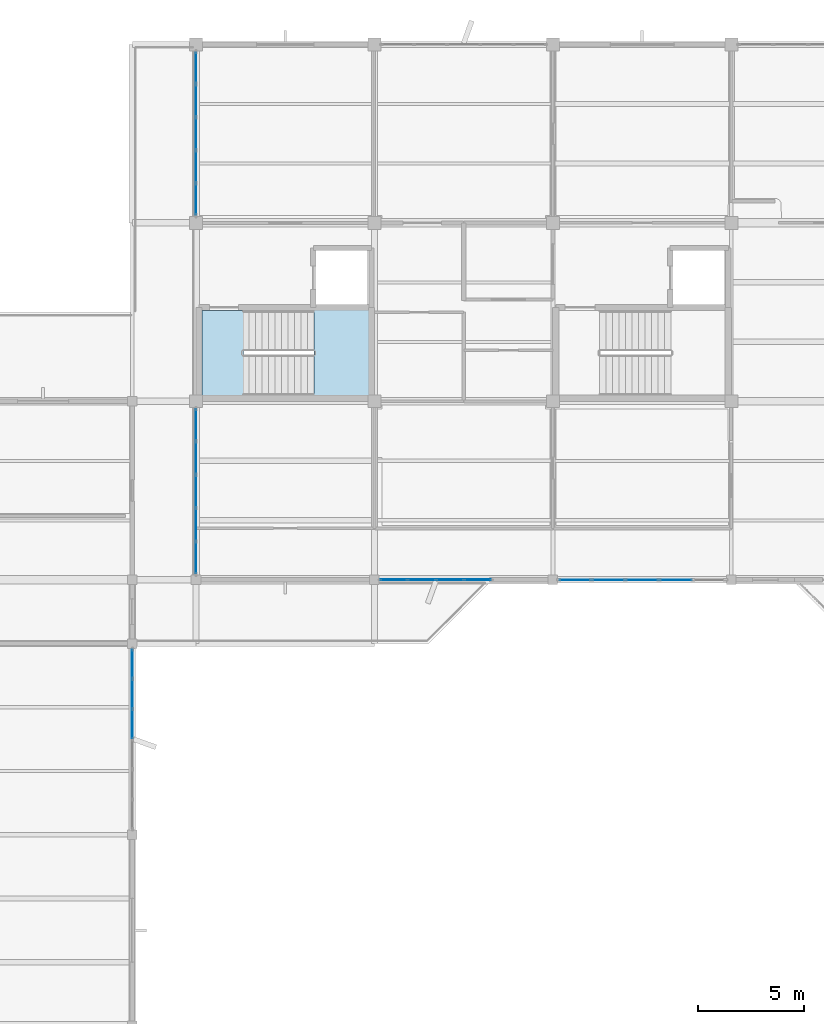
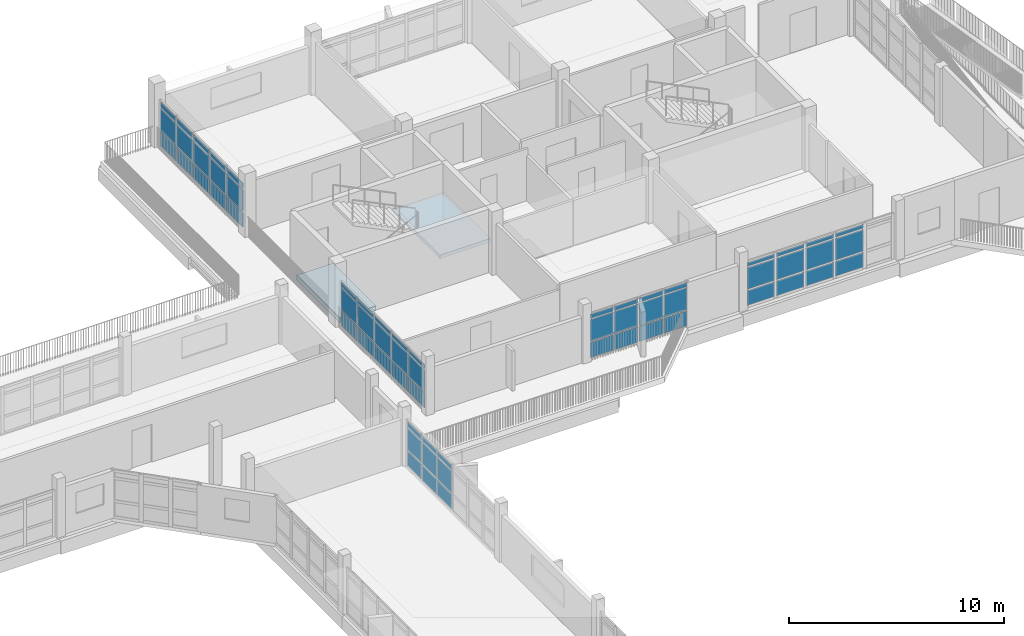
# One storey, part 18 of 33: 63 plates, 2 slabs, 6 elements without a shape of their own.
"""IFC4 building model written with IfcOpenShell, lengths in metres."""

from ifc_helpers import new_model, si_unit, direction, frame, origin, origin_2d, place, context, subcontext, project, spatial, polyline, rectangle, outline, extrude, material, layer, layer_set, type_object, element, aggregate, save


model = new_model("IFC4")

# Units and contexts
model_context = context("Model", 3, precision=1e-05, world=origin(), true_north=direction((0.0, 1.0)))
body_context = subcontext(model_context, "Body", "Model", "MODEL_VIEW")
ifc_project = project(units=[si_unit("LENGTHUNIT", "METRE"), si_unit("AREAUNIT", "SQUARE_METRE"), si_unit("VOLUMEUNIT", "CUBIC_METRE"), si_unit("PLANEANGLEUNIT", "RADIAN"), si_unit("MASSUNIT", "GRAM", prefix="KILO")], contexts=[model_context])

# Site, building, storey
site_placement = place(None, origin())
site = spatial("IfcSite", under=ifc_project, at=site_placement, CompositionType="ELEMENT")
building_placement = place(site_placement, origin())
building = spatial("IfcBuilding", under=site, at=building_placement, Name="Vanh Quang Courtyard School", CompositionType="ELEMENT")
storey_placement = place(building_placement, frame((0.0, 0.0, 18.60009765625)))
storey = spatial("IfcBuildingStorey", under=building, at=storey_placement, Name="L05", CompositionType="ELEMENT", Elevation=18.60009765625)

# Curtain wall, plates
ifc_material_1 = material(Name="Thermally broken aluminium unitised curtain wall", Category="aluminium")
curtain_wall_type_1 = type_object("IfcCurtainWallType", Name="CW-SYS-50", PredefinedType="NOTDEFINED", material=ifc_material_1)
curtain_wall_1_placement = place(storey_placement, origin())
curtain_wall_1 = element("IfcCurtainWall", 1, at=curtain_wall_1_placement, inside=storey, type_object=curtain_wall_type_1, Name="Curtain Wall CW-50 (L05)", PredefinedType="NOTDEFINED")
ifc_material_2 = material(Name="Low-E laminated double glazing", Category="glass")
ifc_layer_1 = layer(ifc_material_2, 0.028076171875)
ifc_layer_set_1 = layer_set([ifc_layer_1], Name="Low-E laminated double glazing")
plate_type_1 = type_object("IfcPlateType", Name="CW-PNL-28", PredefinedType="CURTAIN_PANEL", material=ifc_layer_set_1)
plate_1_placement = place(storey_placement, frame((74.39990234375, 67.438232421875, 0.06982421875), z_axis=(0.0, 0.0, 1.0), x_axis=(0.0, -1.0, 0.0)))
plate_1 = element("IfcPlate", 2, at=plate_1_placement, type_object=plate_type_1, Name="CW-50 panel 1.1", PredefinedType="CURTAIN_PANEL", context=body_context, shape_type="SweptSolid", body=[
    extrude(rectangle(XDim=1.3173828125, YDim=0.028076171875, at=origin_2d()), origin(), (0.0, 0.0, 1.0), 0.844970703125),
])
plate_2_placement = place(storey_placement, frame((74.39990234375, 67.438232421875, 0.98486328125), z_axis=(0.0, 0.0, 1.0), x_axis=(0.0, -1.0, 0.0)))
plate_2 = element("IfcPlate", 3, at=plate_2_placement, type_object=plate_type_1, Name="CW-50 panel 1.2", PredefinedType="CURTAIN_PANEL", context=body_context, shape_type="SweptSolid", body=[
    extrude(rectangle(XDim=1.3173828125, YDim=0.028076171875, at=origin_2d()), origin(), (0.0, 0.0, 1.0), 1.22998046875),
])
plate_3_placement = place(storey_placement, frame((74.39990234375, 67.438232421875, 2.284912109375), z_axis=(0.0, 0.0, 1.0), x_axis=(0.0, -1.0, 0.0)))
plate_3 = element("IfcPlate", 4, at=plate_3_placement, type_object=plate_type_1, Name="CW-50 panel 1.3", PredefinedType="CURTAIN_PANEL", context=body_context, shape_type="SweptSolid", body=[
    extrude(rectangle(XDim=1.3173828125, YDim=0.028076171875, at=origin_2d()), origin(), (0.0, 0.0, 1.0), 0.294921875),
])
plate_4_placement = place(storey_placement, frame((74.39990234375, 66.033447265625, 0.06982421875), z_axis=(0.0, 0.0, 1.0), x_axis=(0.0, -1.0, 0.0)))
plate_4 = element("IfcPlate", 5, at=plate_4_placement, type_object=plate_type_1, Name="CW-50 panel 2.1", PredefinedType="CURTAIN_PANEL", context=body_context, shape_type="SweptSolid", body=[
    extrude(rectangle(XDim=1.352294921875, YDim=0.028076171875, at=origin_2d()), origin(), (0.0, 0.0, 1.0), 0.844970703125),
])
plate_5_placement = place(storey_placement, frame((74.39990234375, 66.033447265625, 0.98486328125), z_axis=(0.0, 0.0, 1.0), x_axis=(0.0, -1.0, 0.0)))
plate_5 = element("IfcPlate", 6, at=plate_5_placement, type_object=plate_type_1, Name="CW-50 panel 2.2", PredefinedType="CURTAIN_PANEL", context=body_context, shape_type="SweptSolid", body=[
    extrude(rectangle(XDim=1.352294921875, YDim=0.028076171875, at=origin_2d()), origin(), (0.0, 0.0, 1.0), 1.22998046875),
])
plate_6_placement = place(storey_placement, frame((74.39990234375, 66.033447265625, 2.284912109375), z_axis=(0.0, 0.0, 1.0), x_axis=(0.0, -1.0, 0.0)))
plate_6 = element("IfcPlate", 7, at=plate_6_placement, type_object=plate_type_1, Name="CW-50 panel 2.3", PredefinedType="CURTAIN_PANEL", context=body_context, shape_type="SweptSolid", body=[
    extrude(rectangle(XDim=1.352294921875, YDim=0.028076171875, at=origin_2d()), origin(), (0.0, 0.0, 1.0), 0.294921875),
])
plate_7_placement = place(storey_placement, frame((74.39990234375, 64.611083984375, 0.06982421875), z_axis=(0.0, 0.0, 1.0), x_axis=(0.0, -1.0, 0.0)))
plate_7 = element("IfcPlate", 8, at=plate_7_placement, type_object=plate_type_1, Name="CW-50 panel 3.1", PredefinedType="CURTAIN_PANEL", context=body_context, shape_type="SweptSolid", body=[
    extrude(rectangle(XDim=1.352294921875, YDim=0.028076171875, at=origin_2d()), origin(), (0.0, 0.0, 1.0), 0.844970703125),
])
plate_8_placement = place(storey_placement, frame((74.39990234375, 64.611083984375, 0.98486328125), z_axis=(0.0, 0.0, 1.0), x_axis=(0.0, -1.0, 0.0)))
plate_8 = element("IfcPlate", 9, at=plate_8_placement, type_object=plate_type_1, Name="CW-50 panel 3.2", PredefinedType="CURTAIN_PANEL", context=body_context, shape_type="SweptSolid", body=[
    extrude(rectangle(XDim=1.352294921875, YDim=0.028076171875, at=origin_2d()), origin(), (0.0, 0.0, 1.0), 1.22998046875),
])
plate_9_placement = place(storey_placement, frame((74.39990234375, 64.611083984375, 2.284912109375), z_axis=(0.0, 0.0, 1.0), x_axis=(0.0, -1.0, 0.0)))
plate_9 = element("IfcPlate", 10, at=plate_9_placement, type_object=plate_type_1, Name="CW-50 panel 3.3", PredefinedType="CURTAIN_PANEL", context=body_context, shape_type="SweptSolid", body=[
    extrude(rectangle(XDim=1.352294921875, YDim=0.028076171875, at=origin_2d()), origin(), (0.0, 0.0, 1.0), 0.294921875),
])
aggregate(curtain_wall_1, [plate_1, plate_2, plate_3, plate_4, plate_5, plate_6, plate_7, plate_8, plate_9])

curtain_wall_type_2 = type_object("IfcCurtainWallType", Name="CW-SYS-19", PredefinedType="NOTDEFINED", material=ifc_material_1)
curtain_wall_2_placement = place(storey_placement, origin())
curtain_wall_2 = element("IfcCurtainWall", 11, at=curtain_wall_2_placement, inside=storey, type_object=curtain_wall_type_2, Name="Curtain Wall CW-19 (L05)", PredefinedType="NOTDEFINED")
plate_10_placement = place(storey_placement, frame((99.98681640625, 71.39990234375, 0.079833984375), z_axis=(0.0, 0.0, 1.0), x_axis=(-1.0, 0.0, 0.0)))
plate_10 = element("IfcPlate", 12, at=plate_10_placement, type_object=plate_type_1, Name="CW-19 panel 2.1", PredefinedType="CURTAIN_PANEL", context=body_context, shape_type="SweptSolid", body=[
    extrude(rectangle(XDim=1.5068359375, YDim=0.028076171875, at=origin_2d()), origin(), (0.0, 0.0, 1.0), 0.830078125),
])
plate_11_placement = place(storey_placement, frame((99.98681640625, 71.39990234375, 0.98974609375), z_axis=(0.0, 0.0, 1.0), x_axis=(-1.0, 0.0, 0.0)))
plate_11 = element("IfcPlate", 13, at=plate_11_placement, type_object=plate_type_1, Name="CW-19 panel 2.2", PredefinedType="CURTAIN_PANEL", context=body_context, shape_type="SweptSolid", body=[
    extrude(rectangle(XDim=1.5068359375, YDim=0.028076171875, at=origin_2d()), origin(), (0.0, 0.0, 1.0), 1.219970703125),
])
plate_12_placement = place(storey_placement, frame((99.98681640625, 71.39990234375, 2.2900390625), z_axis=(0.0, 0.0, 1.0), x_axis=(-1.0, 0.0, 0.0)))
plate_12 = element("IfcPlate", 14, at=plate_12_placement, type_object=plate_type_1, Name="CW-19 panel 2.3", PredefinedType="CURTAIN_PANEL", context=body_context, shape_type="SweptSolid", body=[
    extrude(rectangle(XDim=1.5068359375, YDim=0.028076171875, at=origin_2d()), origin(), (0.0, 0.0, 1.0), 0.2099609375),
])
plate_13_placement = place(storey_placement, frame((98.39990234375, 71.39990234375, 0.079833984375), z_axis=(0.0, 0.0, 1.0), x_axis=(-1.0, 0.0, 0.0)))
plate_13 = element("IfcPlate", 15, at=plate_13_placement, type_object=plate_type_1, Name="CW-19 panel 3.1", PredefinedType="CURTAIN_PANEL", context=body_context, shape_type="SweptSolid", body=[
    extrude(rectangle(XDim=1.5068359375, YDim=0.028076171875, at=origin_2d()), origin(), (0.0, 0.0, 1.0), 0.830078125),
])
plate_14_placement = place(storey_placement, frame((98.39990234375, 71.39990234375, 0.98974609375), z_axis=(0.0, 0.0, 1.0), x_axis=(-1.0, 0.0, 0.0)))
plate_14 = element("IfcPlate", 16, at=plate_14_placement, type_object=plate_type_1, Name="CW-19 panel 3.2", PredefinedType="CURTAIN_PANEL", context=body_context, shape_type="SweptSolid", body=[
    extrude(rectangle(XDim=1.5068359375, YDim=0.028076171875, at=origin_2d()), origin(), (0.0, 0.0, 1.0), 1.219970703125),
])
plate_15_placement = place(storey_placement, frame((98.39990234375, 71.39990234375, 2.2900390625), z_axis=(0.0, 0.0, 1.0), x_axis=(-1.0, 0.0, 0.0)))
plate_15 = element("IfcPlate", 17, at=plate_15_placement, type_object=plate_type_1, Name="CW-19 panel 3.3", PredefinedType="CURTAIN_PANEL", context=body_context, shape_type="SweptSolid", body=[
    extrude(rectangle(XDim=1.5068359375, YDim=0.028076171875, at=origin_2d()), origin(), (0.0, 0.0, 1.0), 0.2099609375),
])
plate_16_placement = place(storey_placement, frame((96.813232421875, 71.39990234375, 0.079833984375), z_axis=(0.0, 0.0, 1.0), x_axis=(-1.0, 0.0, 0.0)))
plate_16 = element("IfcPlate", 18, at=plate_16_placement, type_object=plate_type_1, Name="CW-19 panel 4.1", PredefinedType="CURTAIN_PANEL", context=body_context, shape_type="SweptSolid", body=[
    extrude(rectangle(XDim=1.5068359375, YDim=0.028076171875, at=origin_2d()), origin(), (0.0, 0.0, 1.0), 0.830078125),
])
plate_17_placement = place(storey_placement, frame((96.813232421875, 71.39990234375, 0.98974609375), z_axis=(0.0, 0.0, 1.0), x_axis=(-1.0, 0.0, 0.0)))
plate_17 = element("IfcPlate", 19, at=plate_17_placement, type_object=plate_type_1, Name="CW-19 panel 4.2", PredefinedType="CURTAIN_PANEL", context=body_context, shape_type="SweptSolid", body=[
    extrude(rectangle(XDim=1.5068359375, YDim=0.028076171875, at=origin_2d()), origin(), (0.0, 0.0, 1.0), 1.219970703125),
])
plate_18_placement = place(storey_placement, frame((96.813232421875, 71.39990234375, 2.2900390625), z_axis=(0.0, 0.0, 1.0), x_axis=(-1.0, 0.0, 0.0)))
plate_18 = element("IfcPlate", 20, at=plate_18_placement, type_object=plate_type_1, Name="CW-19 panel 4.3", PredefinedType="CURTAIN_PANEL", context=body_context, shape_type="SweptSolid", body=[
    extrude(rectangle(XDim=1.5068359375, YDim=0.028076171875, at=origin_2d()), origin(), (0.0, 0.0, 1.0), 0.2099609375),
])
plate_19_placement = place(storey_placement, frame((95.246337890625, 71.39990234375, 0.079833984375), z_axis=(0.0, 0.0, 1.0), x_axis=(-1.0, 0.0, 0.0)))
plate_19 = element("IfcPlate", 21, at=plate_19_placement, type_object=plate_type_1, Name="CW-19 panel 5.1", PredefinedType="CURTAIN_PANEL", context=body_context, shape_type="SweptSolid", body=[
    extrude(rectangle(XDim=1.466796875, YDim=0.028076171875, at=origin_2d()), origin(), (0.0, 0.0, 1.0), 0.830078125),
])
plate_20_placement = place(storey_placement, frame((95.246337890625, 71.39990234375, 0.98974609375), z_axis=(0.0, 0.0, 1.0), x_axis=(-1.0, 0.0, 0.0)))
plate_20 = element("IfcPlate", 22, at=plate_20_placement, type_object=plate_type_1, Name="CW-19 panel 5.2", PredefinedType="CURTAIN_PANEL", context=body_context, shape_type="SweptSolid", body=[
    extrude(rectangle(XDim=1.466796875, YDim=0.028076171875, at=origin_2d()), origin(), (0.0, 0.0, 1.0), 1.219970703125),
])
plate_21_placement = place(storey_placement, frame((95.246337890625, 71.39990234375, 2.2900390625), z_axis=(0.0, 0.0, 1.0), x_axis=(-1.0, 0.0, 0.0)))
plate_21 = element("IfcPlate", 23, at=plate_21_placement, type_object=plate_type_1, Name="CW-19 panel 5.3", PredefinedType="CURTAIN_PANEL", context=body_context, shape_type="SweptSolid", body=[
    extrude(rectangle(XDim=1.466796875, YDim=0.028076171875, at=origin_2d()), origin(), (0.0, 0.0, 1.0), 0.2099609375),
])
aggregate(curtain_wall_2, [plate_10, plate_11, plate_12, plate_13, plate_14, plate_15, plate_16, plate_17, plate_18, plate_19, plate_20, plate_21])

curtain_wall_3_placement = place(storey_placement, origin())
curtain_wall_3 = element("IfcCurtainWall", 24, at=curtain_wall_3_placement, inside=storey, type_object=curtain_wall_type_2, Name="Curtain Wall CW-19 (L05)", PredefinedType="NOTDEFINED")
plate_22_placement = place(storey_placement, frame((77.39990234375, 72.436279296875, 0.06982421875), z_axis=(0.0, 0.0, 1.0), x_axis=(0.0, 1.0, 0.0)))
plate_22 = element("IfcPlate", 25, at=plate_22_placement, type_object=plate_type_1, Name="CW-19 panel 1.1", PredefinedType="CURTAIN_PANEL", context=body_context, shape_type="SweptSolid", body=[
    extrude(rectangle(XDim=1.466796875, YDim=0.028076171875, at=origin_2d()), origin(), (0.0, 0.0, 1.0), 0.844970703125),
])
plate_23_placement = place(storey_placement, frame((77.39990234375, 72.436279296875, 0.98486328125), z_axis=(0.0, 0.0, 1.0), x_axis=(0.0, 1.0, 0.0)))
plate_23 = element("IfcPlate", 26, at=plate_23_placement, type_object=plate_type_1, Name="CW-19 panel 1.2", PredefinedType="CURTAIN_PANEL", context=body_context, shape_type="SweptSolid", body=[
    extrude(rectangle(XDim=1.466796875, YDim=0.028076171875, at=origin_2d()), origin(), (0.0, 0.0, 1.0), 1.22998046875),
])
plate_24_placement = place(storey_placement, frame((77.39990234375, 72.436279296875, 2.284912109375), z_axis=(0.0, 0.0, 1.0), x_axis=(0.0, 1.0, 0.0)))
plate_24 = element("IfcPlate", 27, at=plate_24_placement, type_object=plate_type_1, Name="CW-19 panel 1.3", PredefinedType="CURTAIN_PANEL", context=body_context, shape_type="SweptSolid", body=[
    extrude(rectangle(XDim=1.466796875, YDim=0.028076171875, at=origin_2d()), origin(), (0.0, 0.0, 1.0), 0.22509765625),
])
plate_25_placement = place(storey_placement, frame((77.39990234375, 73.99072265625, 0.06982421875), z_axis=(0.0, 0.0, 1.0), x_axis=(0.0, 1.0, 0.0)))
plate_25 = element("IfcPlate", 28, at=plate_25_placement, type_object=plate_type_1, Name="CW-19 panel 2.1", PredefinedType="CURTAIN_PANEL", context=body_context, shape_type="SweptSolid", body=[
    extrude(rectangle(XDim=1.501708984375, YDim=0.028076171875, at=origin_2d()), origin(), (0.0, 0.0, 1.0), 0.844970703125),
])
plate_26_placement = place(storey_placement, frame((77.39990234375, 73.99072265625, 0.98486328125), z_axis=(0.0, 0.0, 1.0), x_axis=(0.0, 1.0, 0.0)))
plate_26 = element("IfcPlate", 29, at=plate_26_placement, type_object=plate_type_1, Name="CW-19 panel 2.2", PredefinedType="CURTAIN_PANEL", context=body_context, shape_type="SweptSolid", body=[
    extrude(rectangle(XDim=1.501708984375, YDim=0.028076171875, at=origin_2d()), origin(), (0.0, 0.0, 1.0), 1.22998046875),
])
plate_27_placement = place(storey_placement, frame((77.39990234375, 73.99072265625, 2.284912109375), z_axis=(0.0, 0.0, 1.0), x_axis=(0.0, 1.0, 0.0)))
plate_27 = element("IfcPlate", 30, at=plate_27_placement, type_object=plate_type_1, Name="CW-19 panel 2.3", PredefinedType="CURTAIN_PANEL", context=body_context, shape_type="SweptSolid", body=[
    extrude(rectangle(XDim=1.501708984375, YDim=0.028076171875, at=origin_2d()), origin(), (0.0, 0.0, 1.0), 0.22509765625),
])
plate_28_placement = place(storey_placement, frame((77.39990234375, 75.5625, 0.06982421875), z_axis=(0.0, 0.0, 1.0), x_axis=(0.0, 1.0, 0.0)))
plate_28 = element("IfcPlate", 31, at=plate_28_placement, type_object=plate_type_1, Name="CW-19 panel 3.1", PredefinedType="CURTAIN_PANEL", context=body_context, shape_type="SweptSolid", body=[
    extrude(rectangle(XDim=1.501708984375, YDim=0.028076171875, at=origin_2d()), origin(), (0.0, 0.0, 1.0), 0.844970703125),
])
plate_29_placement = place(storey_placement, frame((77.39990234375, 75.5625, 0.98486328125), z_axis=(0.0, 0.0, 1.0), x_axis=(0.0, 1.0, 0.0)))
plate_29 = element("IfcPlate", 32, at=plate_29_placement, type_object=plate_type_1, Name="CW-19 panel 3.2", PredefinedType="CURTAIN_PANEL", context=body_context, shape_type="SweptSolid", body=[
    extrude(rectangle(XDim=1.501708984375, YDim=0.028076171875, at=origin_2d()), origin(), (0.0, 0.0, 1.0), 1.22998046875),
])
plate_30_placement = place(storey_placement, frame((77.39990234375, 75.5625, 2.284912109375), z_axis=(0.0, 0.0, 1.0), x_axis=(0.0, 1.0, 0.0)))
plate_30 = element("IfcPlate", 33, at=plate_30_placement, type_object=plate_type_1, Name="CW-19 panel 3.3", PredefinedType="CURTAIN_PANEL", context=body_context, shape_type="SweptSolid", body=[
    extrude(rectangle(XDim=1.501708984375, YDim=0.028076171875, at=origin_2d()), origin(), (0.0, 0.0, 1.0), 0.22509765625),
])
plate_31_placement = place(storey_placement, frame((77.39990234375, 77.13427734375, 0.06982421875), z_axis=(0.0, 0.0, 1.0), x_axis=(0.0, 1.0, 0.0)))
plate_31 = element("IfcPlate", 34, at=plate_31_placement, type_object=plate_type_1, Name="CW-19 panel 4.1", PredefinedType="CURTAIN_PANEL", context=body_context, shape_type="SweptSolid", body=[
    extrude(rectangle(XDim=1.501708984375, YDim=0.028076171875, at=origin_2d()), origin(), (0.0, 0.0, 1.0), 0.844970703125),
])
plate_32_placement = place(storey_placement, frame((77.39990234375, 77.13427734375, 0.98486328125), z_axis=(0.0, 0.0, 1.0), x_axis=(0.0, 1.0, 0.0)))
plate_32 = element("IfcPlate", 35, at=plate_32_placement, type_object=plate_type_1, Name="CW-19 panel 4.2", PredefinedType="CURTAIN_PANEL", context=body_context, shape_type="SweptSolid", body=[
    extrude(rectangle(XDim=1.501708984375, YDim=0.028076171875, at=origin_2d()), origin(), (0.0, 0.0, 1.0), 1.22998046875),
])
plate_33_placement = place(storey_placement, frame((77.39990234375, 77.13427734375, 2.284912109375), z_axis=(0.0, 0.0, 1.0), x_axis=(0.0, 1.0, 0.0)))
plate_33 = element("IfcPlate", 36, at=plate_33_placement, type_object=plate_type_1, Name="CW-19 panel 4.3", PredefinedType="CURTAIN_PANEL", context=body_context, shape_type="SweptSolid", body=[
    extrude(rectangle(XDim=1.501708984375, YDim=0.028076171875, at=origin_2d()), origin(), (0.0, 0.0, 1.0), 0.22509765625),
])
plate_34_placement = place(storey_placement, frame((77.39990234375, 78.688720703125, 0.06982421875), z_axis=(0.0, 0.0, 1.0), x_axis=(0.0, 1.0, 0.0)))
plate_34 = element("IfcPlate", 37, at=plate_34_placement, type_object=plate_type_1, Name="CW-19 panel 5.1", PredefinedType="CURTAIN_PANEL", context=body_context, shape_type="SweptSolid", body=[
    extrude(rectangle(XDim=1.466796875, YDim=0.028076171875, at=origin_2d()), origin(), (0.0, 0.0, 1.0), 0.844970703125),
])
plate_35_placement = place(storey_placement, frame((77.39990234375, 78.688720703125, 0.98486328125), z_axis=(0.0, 0.0, 1.0), x_axis=(0.0, 1.0, 0.0)))
plate_35 = element("IfcPlate", 38, at=plate_35_placement, type_object=plate_type_1, Name="CW-19 panel 5.2", PredefinedType="CURTAIN_PANEL", context=body_context, shape_type="SweptSolid", body=[
    extrude(rectangle(XDim=1.466796875, YDim=0.028076171875, at=origin_2d()), origin(), (0.0, 0.0, 1.0), 1.22998046875),
])
plate_36_placement = place(storey_placement, frame((77.39990234375, 78.688720703125, 2.284912109375), z_axis=(0.0, 0.0, 1.0), x_axis=(0.0, 1.0, 0.0)))
plate_36 = element("IfcPlate", 39, at=plate_36_placement, type_object=plate_type_1, Name="CW-19 panel 5.3", PredefinedType="CURTAIN_PANEL", context=body_context, shape_type="SweptSolid", body=[
    extrude(rectangle(XDim=1.466796875, YDim=0.028076171875, at=origin_2d()), origin(), (0.0, 0.0, 1.0), 0.22509765625),
])
aggregate(curtain_wall_3, [plate_22, plate_23, plate_24, plate_25, plate_26, plate_27, plate_28, plate_29, plate_30, plate_31, plate_32, plate_33, plate_34, plate_35, plate_36])

curtain_wall_type_3 = type_object("IfcCurtainWallType", Name="CW-SYS-67", PredefinedType="NOTDEFINED", material=ifc_material_1)
curtain_wall_4_placement = place(storey_placement, origin())
curtain_wall_4 = element("IfcCurtainWall", 40, at=curtain_wall_4_placement, inside=storey, type_object=curtain_wall_type_3, Name="Curtain Wall CW-67 (L05)", PredefinedType="NOTDEFINED")
ifc_layer_2 = layer(ifc_material_2, 0.031982421875)
ifc_layer_set_2 = layer_set([ifc_layer_2], Name="Low-E laminated double glazing")
plate_type_2 = type_object("IfcPlateType", Name="CW-PNL-32", PredefinedType="CURTAIN_PANEL", material=ifc_layer_set_2)
plate_37_placement = place(storey_placement, frame((90.6650390625, 71.39990234375, 0.06005859375), z_axis=(0.0, 0.0, 1.0), x_axis=(-1.0, 0.0, 0.0)))
plate_37 = element("IfcPlate", 41, at=plate_37_placement, type_object=plate_type_2, Name="CW-67 panel 1.1", PredefinedType="CURTAIN_PANEL", context=body_context, shape_type="SweptSolid", body=[
    extrude(rectangle(XDim=1.23779296875, YDim=0.031982421875, at=origin_2d()), origin(), (0.0, 0.0, 1.0), 0.860107421875),
])
plate_38_placement = place(storey_placement, frame((90.6650390625, 71.39990234375, 0.97998046875), z_axis=(0.0, 0.0, 1.0), x_axis=(-1.0, 0.0, 0.0)))
plate_38 = element("IfcPlate", 42, at=plate_38_placement, type_object=plate_type_2, Name="CW-67 panel 1.2", PredefinedType="CURTAIN_PANEL", context=body_context, shape_type="SweptSolid", body=[
    extrude(rectangle(XDim=1.23779296875, YDim=0.031982421875, at=origin_2d()), origin(), (0.0, 0.0, 1.0), 1.239990234375),
])
plate_39_placement = place(storey_placement, frame((90.6650390625, 71.39990234375, 2.27978515625), z_axis=(0.0, 0.0, 1.0), x_axis=(-1.0, 0.0, 0.0)))
plate_39 = element("IfcPlate", 43, at=plate_39_placement, type_object=plate_type_2, Name="CW-67 panel 1.3", PredefinedType="CURTAIN_PANEL", context=body_context, shape_type="SweptSolid", body=[
    extrude(rectangle(XDim=1.23779296875, YDim=0.031982421875, at=origin_2d()), origin(), (0.0, 0.0, 1.0), 0.239990234375),
])
plate_40_placement = place(storey_placement, frame((89.352294921875, 71.39990234375, 0.06005859375), z_axis=(0.0, 0.0, 1.0), x_axis=(-1.0, 0.0, 0.0)))
plate_40 = element("IfcPlate", 44, at=plate_40_placement, type_object=plate_type_2, Name="CW-67 panel 2.1", PredefinedType="CURTAIN_PANEL", context=body_context, shape_type="SweptSolid", body=[
    extrude(rectangle(XDim=1.267822265625, YDim=0.031982421875, at=origin_2d()), origin(), (0.0, 0.0, 1.0), 0.860107421875),
])
plate_41_placement = place(storey_placement, frame((89.352294921875, 71.39990234375, 0.97998046875), z_axis=(0.0, 0.0, 1.0), x_axis=(-1.0, 0.0, 0.0)))
plate_41 = element("IfcPlate", 45, at=plate_41_placement, type_object=plate_type_2, Name="CW-67 panel 2.2", PredefinedType="CURTAIN_PANEL", context=body_context, shape_type="SweptSolid", body=[
    extrude(rectangle(XDim=1.267822265625, YDim=0.031982421875, at=origin_2d()), origin(), (0.0, 0.0, 1.0), 1.239990234375),
])
plate_42_placement = place(storey_placement, frame((89.352294921875, 71.39990234375, 2.27978515625), z_axis=(0.0, 0.0, 1.0), x_axis=(-1.0, 0.0, 0.0)))
plate_42 = element("IfcPlate", 46, at=plate_42_placement, type_object=plate_type_2, Name="CW-67 panel 2.3", PredefinedType="CURTAIN_PANEL", context=body_context, shape_type="SweptSolid", body=[
    extrude(rectangle(XDim=1.267822265625, YDim=0.031982421875, at=origin_2d()), origin(), (0.0, 0.0, 1.0), 0.239990234375),
])
plate_43_placement = place(storey_placement, frame((88.024658203125, 71.39990234375, 0.06005859375), z_axis=(0.0, 0.0, 1.0), x_axis=(-1.0, 0.0, 0.0)))
plate_43 = element("IfcPlate", 47, at=plate_43_placement, type_object=plate_type_2, Name="CW-67 panel 3.1", PredefinedType="CURTAIN_PANEL", context=body_context, shape_type="SweptSolid", body=[
    extrude(rectangle(XDim=1.267822265625, YDim=0.031982421875, at=origin_2d()), origin(), (0.0, 0.0, 1.0), 0.860107421875),
])
plate_44_placement = place(storey_placement, frame((88.024658203125, 71.39990234375, 0.97998046875), z_axis=(0.0, 0.0, 1.0), x_axis=(-1.0, 0.0, 0.0)))
plate_44 = element("IfcPlate", 48, at=plate_44_placement, type_object=plate_type_2, Name="CW-67 panel 3.2", PredefinedType="CURTAIN_PANEL", context=body_context, shape_type="SweptSolid", body=[
    extrude(rectangle(XDim=1.267822265625, YDim=0.031982421875, at=origin_2d()), origin(), (0.0, 0.0, 1.0), 1.239990234375),
])
plate_45_placement = place(storey_placement, frame((88.024658203125, 71.39990234375, 2.27978515625), z_axis=(0.0, 0.0, 1.0), x_axis=(-1.0, 0.0, 0.0)))
plate_45 = element("IfcPlate", 49, at=plate_45_placement, type_object=plate_type_2, Name="CW-67 panel 3.3", PredefinedType="CURTAIN_PANEL", context=body_context, shape_type="SweptSolid", body=[
    extrude(rectangle(XDim=1.267822265625, YDim=0.031982421875, at=origin_2d()), origin(), (0.0, 0.0, 1.0), 0.239990234375),
])
plate_46_placement = place(storey_placement, frame((86.7119140625, 71.39990234375, 0.06005859375), z_axis=(0.0, 0.0, 1.0), x_axis=(-1.0, 0.0, 0.0)))
plate_46 = element("IfcPlate", 50, at=plate_46_placement, type_object=plate_type_2, Name="CW-67 panel 4.1", PredefinedType="CURTAIN_PANEL", context=body_context, shape_type="SweptSolid", body=[
    extrude(rectangle(XDim=1.23779296875, YDim=0.031982421875, at=origin_2d()), origin(), (0.0, 0.0, 1.0), 0.860107421875),
])
plate_47_placement = place(storey_placement, frame((86.7119140625, 71.39990234375, 0.97998046875), z_axis=(0.0, 0.0, 1.0), x_axis=(-1.0, 0.0, 0.0)))
plate_47 = element("IfcPlate", 51, at=plate_47_placement, type_object=plate_type_2, Name="CW-67 panel 4.2", PredefinedType="CURTAIN_PANEL", context=body_context, shape_type="SweptSolid", body=[
    extrude(rectangle(XDim=1.23779296875, YDim=0.031982421875, at=origin_2d()), origin(), (0.0, 0.0, 1.0), 1.239990234375),
])
plate_48_placement = place(storey_placement, frame((86.7119140625, 71.39990234375, 2.27978515625), z_axis=(0.0, 0.0, 1.0), x_axis=(-1.0, 0.0, 0.0)))
plate_48 = element("IfcPlate", 52, at=plate_48_placement, type_object=plate_type_2, Name="CW-67 panel 4.3", PredefinedType="CURTAIN_PANEL", context=body_context, shape_type="SweptSolid", body=[
    extrude(rectangle(XDim=1.23779296875, YDim=0.031982421875, at=origin_2d()), origin(), (0.0, 0.0, 1.0), 0.239990234375),
])
aggregate(curtain_wall_4, [plate_37, plate_38, plate_39, plate_40, plate_41, plate_42, plate_43, plate_44, plate_45, plate_46, plate_47, plate_48])

curtain_wall_type_4 = type_object("IfcCurtainWallType", Name="CW-SYS-24", PredefinedType="NOTDEFINED", material=ifc_material_1)
curtain_wall_5_placement = place(storey_placement, origin())
curtain_wall_5 = element("IfcCurtainWall", 53, at=curtain_wall_5_placement, inside=storey, type_object=curtain_wall_type_4, Name="Curtain Wall CW-24 (L05)", PredefinedType="NOTDEFINED")
plate_49_placement = place(storey_placement, frame((77.39990234375, 89.306396484375, 0.079833984375), z_axis=(0.0, 0.0, 1.0), x_axis=(0.0, 1.0, 0.0)))
plate_49 = element("IfcPlate", 54, at=plate_49_placement, type_object=plate_type_2, Name="CW-24 panel 1.1", PredefinedType="CURTAIN_PANEL", context=body_context, shape_type="SweptSolid", body=[
    extrude(rectangle(XDim=1.436767578125, YDim=0.031982421875, at=origin_2d()), origin(), (0.0, 0.0, 1.0), 0.830078125),
])
plate_50_placement = place(storey_placement, frame((77.39990234375, 89.306396484375, 0.98974609375), z_axis=(0.0, 0.0, 1.0), x_axis=(0.0, 1.0, 0.0)))
plate_50 = element("IfcPlate", 55, at=plate_50_placement, type_object=plate_type_2, Name="CW-24 panel 1.2", PredefinedType="CURTAIN_PANEL", context=body_context, shape_type="SweptSolid", body=[
    extrude(rectangle(XDim=1.436767578125, YDim=0.031982421875, at=origin_2d()), origin(), (0.0, 0.0, 1.0), 1.219970703125),
])
plate_51_placement = place(storey_placement, frame((77.39990234375, 89.306396484375, 2.2900390625), z_axis=(0.0, 0.0, 1.0), x_axis=(0.0, 1.0, 0.0)))
plate_51 = element("IfcPlate", 56, at=plate_51_placement, type_object=plate_type_2, Name="CW-24 panel 1.3", PredefinedType="CURTAIN_PANEL", context=body_context, shape_type="SweptSolid", body=[
    extrude(rectangle(XDim=1.436767578125, YDim=0.031982421875, at=origin_2d()), origin(), (0.0, 0.0, 1.0), 0.280029296875),
])
plate_52_placement = place(storey_placement, frame((77.39990234375, 90.84326171875, 0.079833984375), z_axis=(0.0, 0.0, 1.0), x_axis=(0.0, 1.0, 0.0)))
plate_52 = element("IfcPlate", 57, at=plate_52_placement, type_object=plate_type_2, Name="CW-24 panel 2.1", PredefinedType="CURTAIN_PANEL", context=body_context, shape_type="SweptSolid", body=[
    extrude(rectangle(XDim=1.476806640625, YDim=0.031982421875, at=origin_2d()), origin(), (0.0, 0.0, 1.0), 0.830078125),
])
plate_53_placement = place(storey_placement, frame((77.39990234375, 90.84326171875, 0.98974609375), z_axis=(0.0, 0.0, 1.0), x_axis=(0.0, 1.0, 0.0)))
plate_53 = element("IfcPlate", 58, at=plate_53_placement, type_object=plate_type_2, Name="CW-24 panel 2.2", PredefinedType="CURTAIN_PANEL", context=body_context, shape_type="SweptSolid", body=[
    extrude(rectangle(XDim=1.476806640625, YDim=0.031982421875, at=origin_2d()), origin(), (0.0, 0.0, 1.0), 1.219970703125),
])
plate_54_placement = place(storey_placement, frame((77.39990234375, 90.84326171875, 2.2900390625), z_axis=(0.0, 0.0, 1.0), x_axis=(0.0, 1.0, 0.0)))
plate_54 = element("IfcPlate", 59, at=plate_54_placement, type_object=plate_type_2, Name="CW-24 panel 2.3", PredefinedType="CURTAIN_PANEL", context=body_context, shape_type="SweptSolid", body=[
    extrude(rectangle(XDim=1.476806640625, YDim=0.031982421875, at=origin_2d()), origin(), (0.0, 0.0, 1.0), 0.280029296875),
])
plate_55_placement = place(storey_placement, frame((77.39990234375, 92.39990234375, 0.079833984375), z_axis=(0.0, 0.0, 1.0), x_axis=(0.0, 1.0, 0.0)))
plate_55 = element("IfcPlate", 60, at=plate_55_placement, type_object=plate_type_2, Name="CW-24 panel 3.1", PredefinedType="CURTAIN_PANEL", context=body_context, shape_type="SweptSolid", body=[
    extrude(rectangle(XDim=1.476806640625, YDim=0.031982421875, at=origin_2d()), origin(), (0.0, 0.0, 1.0), 0.830078125),
])
plate_56_placement = place(storey_placement, frame((77.39990234375, 92.39990234375, 0.98974609375), z_axis=(0.0, 0.0, 1.0), x_axis=(0.0, 1.0, 0.0)))
plate_56 = element("IfcPlate", 61, at=plate_56_placement, type_object=plate_type_2, Name="CW-24 panel 3.2", PredefinedType="CURTAIN_PANEL", context=body_context, shape_type="SweptSolid", body=[
    extrude(rectangle(XDim=1.476806640625, YDim=0.031982421875, at=origin_2d()), origin(), (0.0, 0.0, 1.0), 1.219970703125),
])
plate_57_placement = place(storey_placement, frame((77.39990234375, 92.39990234375, 2.2900390625), z_axis=(0.0, 0.0, 1.0), x_axis=(0.0, 1.0, 0.0)))
plate_57 = element("IfcPlate", 62, at=plate_57_placement, type_object=plate_type_2, Name="CW-24 panel 3.3", PredefinedType="CURTAIN_PANEL", context=body_context, shape_type="SweptSolid", body=[
    extrude(rectangle(XDim=1.476806640625, YDim=0.031982421875, at=origin_2d()), origin(), (0.0, 0.0, 1.0), 0.280029296875),
])
plate_58_placement = place(storey_placement, frame((77.39990234375, 93.956787109375, 0.079833984375), z_axis=(0.0, 0.0, 1.0), x_axis=(0.0, 1.0, 0.0)))
plate_58 = element("IfcPlate", 63, at=plate_58_placement, type_object=plate_type_2, Name="CW-24 panel 4.1", PredefinedType="CURTAIN_PANEL", context=body_context, shape_type="SweptSolid", body=[
    extrude(rectangle(XDim=1.476806640625, YDim=0.031982421875, at=origin_2d()), origin(), (0.0, 0.0, 1.0), 0.830078125),
])
plate_59_placement = place(storey_placement, frame((77.39990234375, 93.956787109375, 0.98974609375), z_axis=(0.0, 0.0, 1.0), x_axis=(0.0, 1.0, 0.0)))
plate_59 = element("IfcPlate", 64, at=plate_59_placement, type_object=plate_type_2, Name="CW-24 panel 4.2", PredefinedType="CURTAIN_PANEL", context=body_context, shape_type="SweptSolid", body=[
    extrude(rectangle(XDim=1.476806640625, YDim=0.031982421875, at=origin_2d()), origin(), (0.0, 0.0, 1.0), 1.219970703125),
])
plate_60_placement = place(storey_placement, frame((77.39990234375, 93.956787109375, 2.2900390625), z_axis=(0.0, 0.0, 1.0), x_axis=(0.0, 1.0, 0.0)))
plate_60 = element("IfcPlate", 65, at=plate_60_placement, type_object=plate_type_2, Name="CW-24 panel 4.3", PredefinedType="CURTAIN_PANEL", context=body_context, shape_type="SweptSolid", body=[
    extrude(rectangle(XDim=1.476806640625, YDim=0.031982421875, at=origin_2d()), origin(), (0.0, 0.0, 1.0), 0.280029296875),
])
plate_61_placement = place(storey_placement, frame((77.39990234375, 95.49365234375, 0.079833984375), z_axis=(0.0, 0.0, 1.0), x_axis=(0.0, 1.0, 0.0)))
plate_61 = element("IfcPlate", 66, at=plate_61_placement, type_object=plate_type_2, Name="CW-24 panel 5.1", PredefinedType="CURTAIN_PANEL", context=body_context, shape_type="SweptSolid", body=[
    extrude(rectangle(XDim=1.436767578125, YDim=0.031982421875, at=origin_2d()), origin(), (0.0, 0.0, 1.0), 0.830078125),
])
plate_62_placement = place(storey_placement, frame((77.39990234375, 95.49365234375, 0.98974609375), z_axis=(0.0, 0.0, 1.0), x_axis=(0.0, 1.0, 0.0)))
plate_62 = element("IfcPlate", 67, at=plate_62_placement, type_object=plate_type_2, Name="CW-24 panel 5.2", PredefinedType="CURTAIN_PANEL", context=body_context, shape_type="SweptSolid", body=[
    extrude(rectangle(XDim=1.436767578125, YDim=0.031982421875, at=origin_2d()), origin(), (0.0, 0.0, 1.0), 1.219970703125),
])
plate_63_placement = place(storey_placement, frame((77.39990234375, 95.49365234375, 2.2900390625), z_axis=(0.0, 0.0, 1.0), x_axis=(0.0, 1.0, 0.0)))
plate_63 = element("IfcPlate", 68, at=plate_63_placement, type_object=plate_type_2, Name="CW-24 panel 5.3", PredefinedType="CURTAIN_PANEL", context=body_context, shape_type="SweptSolid", body=[
    extrude(rectangle(XDim=1.436767578125, YDim=0.031982421875, at=origin_2d()), origin(), (0.0, 0.0, 1.0), 0.280029296875),
])
aggregate(curtain_wall_5, [plate_49, plate_50, plate_51, plate_52, plate_53, plate_54, plate_55, plate_56, plate_57, plate_58, plate_59, plate_60, plate_61, plate_62, plate_63])

# Slab
ifc_material_3 = material(Name="Concrete C30/37", Category="concrete")
ifc_layer_3 = layer(ifc_material_3, 0.280029296875)
ifc_layer_set_3 = layer_set([ifc_layer_3], Name="Concrete C30/37")
slab_type_1 = type_object("IfcSlabType", Name="SLB-FLR-280", PredefinedType="FLOOR", material=ifc_layer_set_3)
slab_1_placement = place(storey_placement, frame((0.0, 0.0, -0.280029296875)))
element("IfcSlab", 69, at=slab_1_placement, inside=storey, type_object=slab_type_1, Name="Slab SF-02 (L05)", PredefinedType="FLOOR", context=body_context, shape_type="SweptSolid", body=[
    extrude(outline(polyline([(79.6298828125, 80.080078125), (77.679931640625, 80.080078125), (77.679931640625, 84.080078125), (79.6298828125, 84.080078125), (79.6298828125, 80.080078125)])), origin(), (0.0, 0.0, 1.0), 0.280029296875),
])

# Stair, slab
stair_type = type_object("IfcStairType", Name="STR-CORE-1920", PredefinedType="HALF_TURN_STAIR", material=ifc_material_3)
stair_placement = place(storey_placement, origin())
stair = element("IfcStair", 70, at=stair_placement, inside=storey, type_object=stair_type, Name="L05 ST-01", PredefinedType="HALF_TURN_STAIR")
ifc_layer_4 = layer(ifc_material_3, 0.199951171875)
ifc_layer_set_4 = layer_set([ifc_layer_4], Name="Concrete C30/37")
slab_type_2 = type_object("IfcSlabType", Name="SLB-LND-200", PredefinedType="LANDING", material=ifc_layer_set_4)
slab_2_placement = place(storey_placement, frame((0.0, 0.0, 1.599853515625)))
slab_2 = element("IfcSlab", 71, at=slab_2_placement, type_object=slab_type_2, Name="ST-01 landing 1", PredefinedType="LANDING", context=body_context, shape_type="SweptSolid", body=[
    extrude(outline(polyline([(82.955078125, 79.919921875), (85.679931640625, 79.919921875), (85.679931640625, 84.239990234375), (82.955078125, 84.239990234375), (82.955078125, 79.919921875)])), origin(), (0.0, 0.0, 1.0), 0.199951171875),
])
aggregate(stair, [slab_2])

save(model, "model.ifc")
